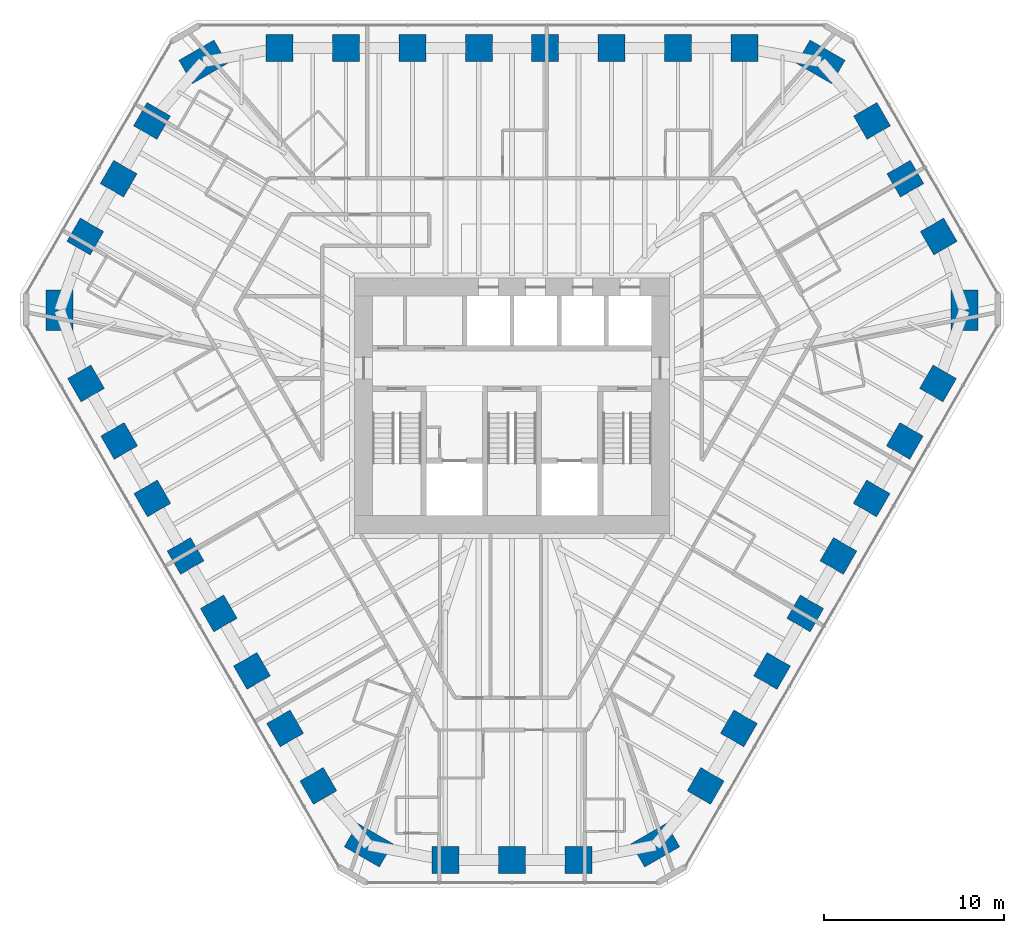
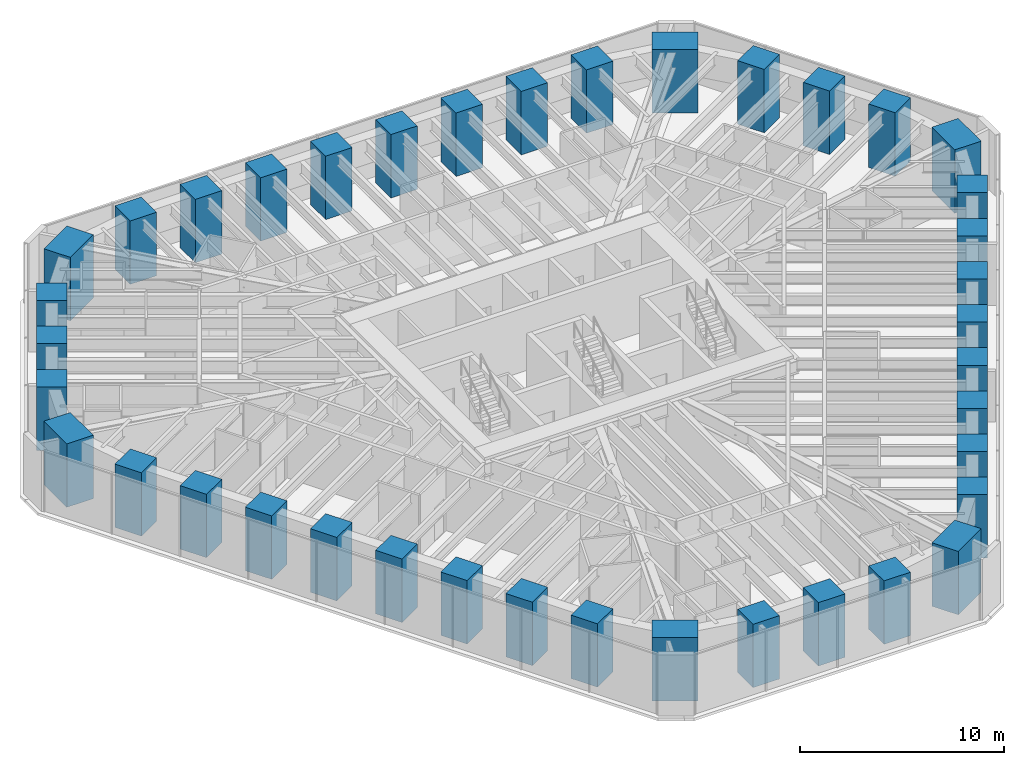
# One storey, part 1 of 16: 39 columns.
"""IFC4 building model written with IfcOpenShell, lengths in metres."""

from ifc_helpers import new_model, si_unit, direction, frame, origin, origin_2d, place, context, subcontext, project, spatial, rectangle, extrude, material, material_profile, profile_set, type_object, element, save


model = new_model("IFC4")

# Units and contexts
model_context = context("Model", 3, precision=1e-05, world=origin(), true_north=direction((0.0, 1.0)))
body_context = subcontext(model_context, "Body", "Model", "MODEL_VIEW")
ifc_project = project(units=[si_unit("LENGTHUNIT", "METRE"), si_unit("AREAUNIT", "SQUARE_METRE"), si_unit("VOLUMEUNIT", "CUBIC_METRE"), si_unit("PLANEANGLEUNIT", "RADIAN"), si_unit("MASSUNIT", "GRAM", prefix="KILO")], contexts=[model_context])

# Site, building, storey
site_placement = place(None, origin())
site = spatial("IfcSite", under=ifc_project, at=site_placement, CompositionType="ELEMENT")
building_placement = place(site_placement, origin())
building = spatial("IfcBuilding", under=site, at=building_placement, Name="Sandreach Pilgrim Tower", CompositionType="ELEMENT")
storey_placement = place(building_placement, frame((0.0, 0.0, 202.199951171875)))
storey = spatial("IfcBuildingStorey", under=building, at=storey_placement, Name="L50", CompositionType="ELEMENT", Elevation=202.199951171875)

# Columns
ifc_material_1 = material(Name="Concrete 10000 psi", Category="concrete")
ifc_material_profile_1 = material_profile(ifc_material_1, rectangle(XDim=1.5, YDim=1.5, at=origin_2d()), Name="RC1500X1500")
ifc_profile_set_1 = profile_set([ifc_material_profile_1], Name="Concrete 10000 psi")
column_type_1 = type_object("IfcColumnType", Name="Tube column RC1500X1500", PredefinedType="COLUMN", material=ifc_profile_set_1)
for number, where, z_axis, x_axis, name in (
    (1, (-12.923828125, 19.900146484375, 0.0), (0.0, 0.0, 1.0), (0.0, 1.0, 0.0), "COL L50 T01"),
    (2, (-9.231201171875, 19.900146484375, 0.0), (0.0, 0.0, 1.0), (0.0, 1.0, 0.0), "COL L50 T02"),
    (3, (-5.538818359375, 19.900146484375, 0.0), (0.0, 0.0, 1.0), (0.0, 1.0, 0.0), "COL L50 T03"),
    (4, (-1.84619140625, 19.900146484375, 0.0), (0.0, 0.0, 1.0), (0.0, 1.0, 0.0), "COL L50 T04"),
    (5, (1.84619140625, 19.900146484375, 0.0), (0.0, 0.0, 1.0), (0.0, 1.0, 0.0), "COL L50 T05"),
    (6, (5.538818359375, 19.900146484375, 0.0), (0.0, 0.0, 1.0), (0.0, 1.0, 0.0), "COL L50 T06"),
    (7, (9.231201171875, 19.900146484375, 0.0), (0.0, 0.0, 1.0), (0.0, 1.0, 0.0), "COL L50 T07"),
    (8, (12.923828125, 19.900146484375, 0.0), (0.0, 0.0, 1.0), (0.0, 1.0, 0.0), "COL L50 T08"),
    (9, (20.025146484375, 15.845947265625, 0.0), (0.0, 0.0, 1.0), (0.866025403784, 0.5, 0.0), "COL L50 T10"),
    (10, (21.88037109375, 12.632568359375, 0.0), (0.0, 0.0, 1.0), (0.866025403784, 0.5, 0.0), "COL L50 T11"),
    (11, (23.7353515625, 9.419189453125, 0.0), (0.0, 0.0, 1.0), (0.866025403784, 0.5, 0.0), "COL L50 T12"),
    (12, (23.69580078125, 1.2421875, 0.0), (0.0, 0.0, 1.0), (0.866025403784, -0.5, 0.0), "COL L50 T14"),
    (13, (21.849609375, -1.95556640625, 0.0), (0.0, 0.0, 1.0), (0.866025403784, -0.5, 0.0), "COL L50 T15"),
    (14, (20.00341796875, -5.1533203125, 0.0), (0.0, 0.0, 1.0), (0.866025403784, -0.5, 0.0), "COL L50 T16"),
    (15, (18.1572265625, -8.35107421875, 0.0), (0.0, 0.0, 1.0), (0.866025403784, -0.5, 0.0), "COL L50 T17"),
    (16, (16.310791015625, -11.548828125, 0.0), (0.0, 0.0, 1.0), (0.866025403784, -0.5, 0.0), "COL L50 T18"),
    (17, (14.464599609375, -14.746826171875, 0.0), (0.0, 0.0, 1.0), (0.866025403784, -0.5, 0.0), "COL L50 T19"),
    (18, (12.618408203125, -17.944580078125, 0.0), (0.0, 0.0, 1.0), (0.866025403784, -0.5, 0.0), "COL L50 T20"),
    (19, (10.772216796875, -21.142333984375, 0.0), (0.0, 0.0, 1.0), (0.866025403784, -0.5, 0.0), "COL L50 T21"),
    (20, (3.71044921875, -25.26513671875, 0.0), (0.0, 0.0, 1.0), (0.0, -1.0, 0.0), "COL L50 T23"),
    (21, (0.0, -25.26513671875, 0.0), (0.0, 0.0, 1.0), (0.0, -1.0, 0.0), "COL L50 T24"),
    (22, (-3.71044921875, -25.26513671875, 0.0), (0.0, 0.0, 1.0), (0.0, -1.0, 0.0), "COL L50 T25"),
    (23, (-10.772216796875, -21.142333984375, 0.0), (0.0, 0.0, 1.0), (-0.866025403784, -0.5, 0.0), "COL L50 T27"),
    (24, (-12.618408203125, -17.944580078125, 0.0), (0.0, 0.0, 1.0), (-0.866025403784, -0.5, 0.0), "COL L50 T28"),
    (25, (-14.464599609375, -14.746826171875, 0.0), (0.0, 0.0, 1.0), (-0.866025403784, -0.5, 0.0), "COL L50 T29"),
    (26, (-16.310791015625, -11.548828125, 0.0), (0.0, 0.0, 1.0), (-0.866025403784, -0.5, 0.0), "COL L50 T30"),
    (27, (-18.1572265625, -8.35107421875, 0.0), (0.0, 0.0, 1.0), (-0.866025403784, -0.5, 0.0), "COL L50 T31"),
    (28, (-20.00341796875, -5.1533203125, 0.0), (0.0, 0.0, 1.0), (-0.866025403784, -0.5, 0.0), "COL L50 T32"),
    (29, (-21.849609375, -1.95556640625, 0.0), (0.0, 0.0, 1.0), (-0.866025403784, -0.5, 0.0), "COL L50 T33"),
    (30, (-23.69580078125, 1.2421875, 0.0), (0.0, 0.0, 1.0), (-0.866025403784, -0.5, 0.0), "COL L50 T34"),
    (31, (-23.7353515625, 9.419189453125, 0.0), (0.0, 0.0, 1.0), (-0.866025403784, 0.5, 0.0), "COL L50 T36"),
    (32, (-21.88037109375, 12.632568359375, 0.0), (0.0, 0.0, 1.0), (-0.866025403784, 0.5, 0.0), "COL L50 T37"),
    (33, (-20.025146484375, 15.845947265625, 0.0), (0.0, 0.0, 1.0), (-0.866025403784, 0.5, 0.0), "COL L50 T38"),
):
    element("IfcColumn", number, at=place(storey_placement, frame(where, z_axis=z_axis, x_axis=x_axis)), inside=storey, type_object=column_type_1, Name=name, PredefinedType="COLUMN", context=body_context, shape_type="SweptSolid", body=[
        extrude(rectangle(XDim=1.5, YDim=1.5, at=origin_2d()), origin(), (0.0, 0.0, 1.0), 3.800048828125),
    ])
ifc_material_2 = material(Name="Concrete 10000 psi", Category="concrete")
ifc_material_profile_2 = material_profile(ifc_material_2, rectangle(XDim=1.5, YDim=2.25, at=origin_2d()), Name="RC1500X2250")
ifc_profile_set_2 = profile_set([ifc_material_profile_2], Name="Concrete 10000 psi")
column_type_2 = type_object("IfcColumnType", Name="Tube corner pier RC1500X2250", PredefinedType="COLUMN", material=ifc_profile_set_2)
for number, where, z_axis, x_axis, name in (
    (34, (17.177978515625, 19.130615234375, 0.0), (0.0, 0.0, 1.0), (0.5, 0.866025403784, 0.0), "COL L50 T09"),
    (35, (25.156494140625, 5.311279296875, 0.0), (0.0, 0.0, 1.0), (1.0, 0.0, 0.0), "COL L50 T13"),
    (36, (7.978515625, -24.44189453125, 0.0), (0.0, 0.0, 1.0), (0.5, -0.866025403784, 0.0), "COL L50 T22"),
    (37, (-7.978515625, -24.44189453125, 0.0), (0.0, 0.0, 1.0), (-0.5, -0.866025403784, 0.0), "COL L50 T26"),
    (38, (-25.156494140625, 5.311279296875, 0.0), (0.0, 0.0, 1.0), (-1.0, 0.0, 0.0), "COL L50 T35"),
    (39, (-17.177978515625, 19.130615234375, 0.0), (0.0, 0.0, 1.0), (-0.5, 0.866025403784, 0.0), "COL L50 T39"),
):
    element("IfcColumn", number, at=place(storey_placement, frame(where, z_axis=z_axis, x_axis=x_axis)), inside=storey, type_object=column_type_2, Name=name, PredefinedType="COLUMN", context=body_context, shape_type="SweptSolid", body=[
        extrude(rectangle(XDim=1.5, YDim=2.25, at=origin_2d()), origin(), (0.0, 0.0, 1.0), 3.800048828125),
    ])

save(model, "model.ifc")
